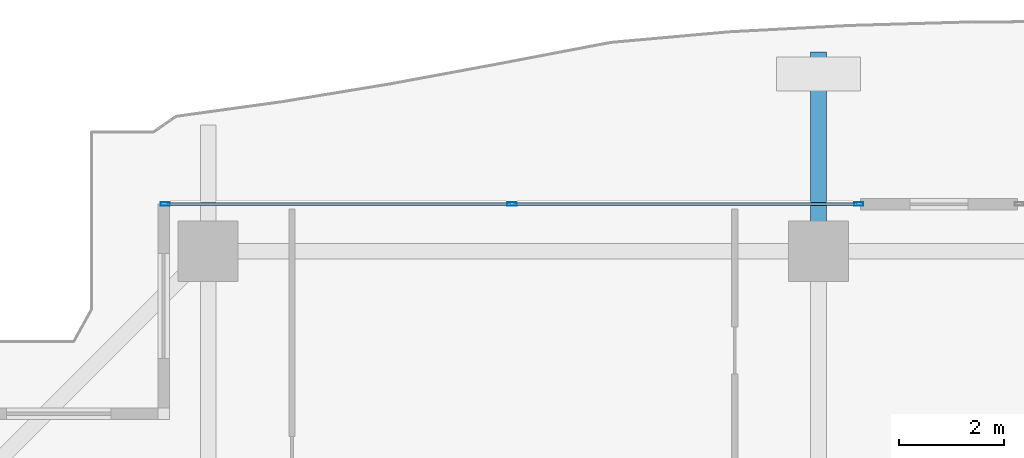
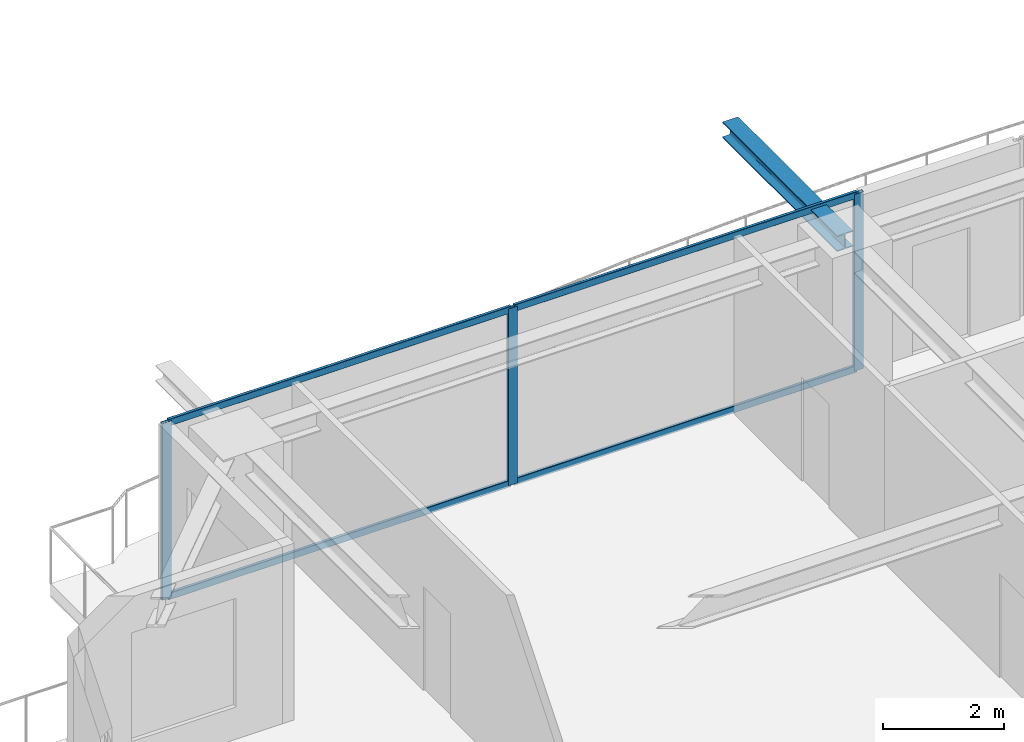
# One storey, part 20 of 37: 7 members, 1 beam, 1 element without a shape of its own.
"""IFC4 building model written with IfcOpenShell, lengths in metres."""

from ifc_helpers import new_model, si_unit, direction, frame, origin, origin_2d, place, context, subcontext, project, spatial, hollow_rectangle, i_section, extrude, source, transform, mapped, material, layer, layer_set, material_profile, profile_set, type_object, element, aggregate, save


model = new_model("IFC4")

# Units and contexts
model_context = context("Model", 3, precision=1e-05, world=origin(), true_north=direction((0.0, 1.0)))
body_context = subcontext(model_context, "Body", "Model", "MODEL_VIEW")
ifc_project = project(units=[si_unit("LENGTHUNIT", "METRE"), si_unit("AREAUNIT", "SQUARE_METRE"), si_unit("VOLUMEUNIT", "CUBIC_METRE"), si_unit("PLANEANGLEUNIT", "RADIAN"), si_unit("MASSUNIT", "GRAM", prefix="KILO")], contexts=[model_context])

# Site, building, storey
site_placement = place(None, origin())
site = spatial("IfcSite", under=ifc_project, at=site_placement, CompositionType="ELEMENT")
building_placement = place(site_placement, origin())
building = spatial("IfcBuilding", under=site, at=building_placement, Name="Serunith Strait Residences", CompositionType="ELEMENT")
storey_placement = place(building_placement, frame((0.0, 0.0, 233.550048828125)))
storey = spatial("IfcBuildingStorey", under=building, at=storey_placement, Name="L58", CompositionType="ELEMENT", Elevation=233.550048828125)

# Beam
ifc_material_1 = material(Name="Steel S355J2", Category="steel")
ifc_material_profile_1 = material_profile(ifc_material_1, i_section(OverallWidth=0.300048828125, OverallDepth=0.320068359375, WebThickness=0.011474609375, FlangeThickness=0.0205078125, FilletRadius=0.027099609375, at=origin_2d()), Name="HEB 320")
ifc_profile_set_1 = profile_set([ifc_material_profile_1], Name="Steel S355J2")
beam_type = type_object("IfcBeamType", Name="BM-HEB320", PredefinedType="BEAM", material=ifc_profile_set_1)
shared_shape_1 = source(origin(), body_context, "Body", "SweptSolid", [
    extrude(i_section(OverallWidth=0.300048828125, OverallDepth=0.320068359375, WebThickness=0.011474609375, FlangeThickness=0.0205078125, FilletRadius=0.027099609375, at=origin_2d()), origin(), (0.0, 0.0, 1.0), 3.800048828125),
])
beam_placement = place(storey_placement, frame((27.89990234375, 48.300048828125, 3.39697265625), z_axis=(0.0, 1.0, 0.0), x_axis=(-1.0, 0.0, 0.0)))
element("IfcBeam", 1, at=beam_placement, inside=storey, type_object=beam_type, Name="L59 Cantilevered Balcony Rib TC-N2", PredefinedType="BEAM", context=body_context, shape_type="MappedRepresentation", body=[
    mapped(shared_shape_1, transform((0.0, 0.0, 0.0), scale=1.0)),
])

# Curtain wall, members
ifc_material_2 = material(Name="Pale-Champagne Anodised Aluminium", Category="aluminium")
ifc_layer = layer(ifc_material_2, 0.199951171875, Name="Pale-Champagne Anodised Aluminium")
ifc_layer_set = layer_set([ifc_layer], Name="Pale-Champagne Anodised Aluminium")
curtain_wall_type = type_object("IfcCurtainWallType", Name="CW-SYS4", PredefinedType="NOTDEFINED", material=ifc_layer_set)
curtain_wall_placement = place(storey_placement, origin())
curtain_wall = element("IfcCurtainWall", 2, at=curtain_wall_placement, inside=storey, type_object=curtain_wall_type, Name="L58 N Unitised Fritted Curtain Wall", PredefinedType="NOTDEFINED")
ifc_material_profile_2 = material_profile(ifc_material_2, hollow_rectangle(XDim=0.06494140625, YDim=0.179931640625, WallThickness=0.00341796875, InnerFilletRadius=0.00537109375, OuterFilletRadius=0.0087890625, at=origin_2d()), Name="ALU 180x65x3.5")
ifc_profile_set_2 = profile_set([ifc_material_profile_2], Name="Pale-Champagne Anodised Aluminium")
member_type_1 = type_object("IfcMemberType", Name="CW-SYS4-MULL", PredefinedType="MULLION", material=ifc_profile_set_2)
shared_shape_2 = source(origin(), body_context, "Body", "SweptSolid", [
    extrude(hollow_rectangle(XDim=0.06494140625, YDim=0.179931640625, WallThickness=0.00341796875, InnerFilletRadius=0.00537109375, OuterFilletRadius=0.0087890625, at=origin_2d()), origin(), (0.0, 0.0, 1.0), 3.574951171875),
])
member_1_placement = place(storey_placement, frame((28.66748046875, 49.199951171875, 0.0), z_axis=(0.0, 0.0, 1.0), x_axis=(0.0, -1.0, 0.0)))
member_1 = element("IfcMember", 3, at=member_1_placement, type_object=member_type_1, Name="CW-4 mullion 1", PredefinedType="MULLION", context=body_context, shape_type="MappedRepresentation", body=[
    mapped(shared_shape_2, transform((0.0, 0.0, 0.0), scale=1.0)),
])
member_2_placement = place(storey_placement, frame((22.050048828125, 49.199951171875, 0.0), z_axis=(0.0, 0.0, 1.0), x_axis=(0.0, -1.0, 0.0)))
member_2 = element("IfcMember", 4, at=member_2_placement, type_object=member_type_1, Name="CW-4 mullion 2", PredefinedType="MULLION", context=body_context, shape_type="MappedRepresentation", body=[
    mapped(shared_shape_2, transform((0.0, 0.0, 0.0), scale=1.0)),
])
member_3_placement = place(storey_placement, frame((15.4326171875, 49.199951171875, 0.0), z_axis=(0.0, 0.0, 1.0), x_axis=(0.0, -1.0, 0.0)))
member_3 = element("IfcMember", 5, at=member_3_placement, type_object=member_type_1, Name="CW-4 mullion 3", PredefinedType="MULLION", context=body_context, shape_type="MappedRepresentation", body=[
    mapped(shared_shape_2, transform((0.0, 0.0, 0.0), scale=1.0)),
])
ifc_material_profile_3 = material_profile(ifc_material_2, hollow_rectangle(XDim=0.06005859375, YDim=0.139892578125, WallThickness=0.00341796875, InnerFilletRadius=0.00537109375, OuterFilletRadius=0.0087890625, at=origin_2d()), Name="ALU 140x60x3.5")
ifc_profile_set_3 = profile_set([ifc_material_profile_3], Name="Pale-Champagne Anodised Aluminium")
member_type_2 = type_object("IfcMemberType", Name="CW-SYS4-TRAN", PredefinedType="USERDEFINED", material=ifc_profile_set_3)
shared_shape_3 = source(origin(), body_context, "Body", "SweptSolid", [
    extrude(hollow_rectangle(XDim=0.06005859375, YDim=0.139892578125, WallThickness=0.00341796875, InnerFilletRadius=0.00537109375, OuterFilletRadius=0.0087890625, at=origin_2d()), origin(), (0.0, 0.0, 1.0), 6.552490234375),
])
member_4_placement = place(storey_placement, frame((28.635009765625, 49.199951171875, 0.030029296875), z_axis=(-1.0, 0.0, 0.0), x_axis=(0.0, -1.0, 0.0)))
member_4 = element("IfcMember", 6, at=member_4_placement, type_object=member_type_2, Name="CW-4 transom 1.1", ObjectType="TRANSOM", PredefinedType="USERDEFINED", context=body_context, shape_type="MappedRepresentation", body=[
    mapped(shared_shape_3, transform((0.0, 0.0, 0.0), scale=1.0)),
])
member_5_placement = place(storey_placement, frame((28.635009765625, 49.199951171875, 3.544921875), z_axis=(-1.0, 0.0, 0.0), x_axis=(0.0, -1.0, 0.0)))
member_5 = element("IfcMember", 7, at=member_5_placement, type_object=member_type_2, Name="CW-4 transom 1.2", ObjectType="TRANSOM", PredefinedType="USERDEFINED", context=body_context, shape_type="MappedRepresentation", body=[
    mapped(shared_shape_3, transform((0.0, 0.0, 0.0), scale=1.0)),
])
member_6_placement = place(storey_placement, frame((22.017578125, 49.199951171875, 0.030029296875), z_axis=(-1.0, 0.0, 0.0), x_axis=(0.0, -1.0, 0.0)))
member_6 = element("IfcMember", 8, at=member_6_placement, type_object=member_type_2, Name="CW-4 transom 2.1", ObjectType="TRANSOM", PredefinedType="USERDEFINED", context=body_context, shape_type="MappedRepresentation", body=[
    mapped(shared_shape_3, transform((0.0, 0.0, 0.0), scale=1.0)),
])
member_7_placement = place(storey_placement, frame((22.017578125, 49.199951171875, 3.544921875), z_axis=(-1.0, 0.0, 0.0), x_axis=(0.0, -1.0, 0.0)))
member_7 = element("IfcMember", 9, at=member_7_placement, type_object=member_type_2, Name="CW-4 transom 2.2", ObjectType="TRANSOM", PredefinedType="USERDEFINED", context=body_context, shape_type="MappedRepresentation", body=[
    mapped(shared_shape_3, transform((0.0, 0.0, 0.0), scale=1.0)),
])
aggregate(curtain_wall, [member_1, member_2, member_3, member_4, member_5, member_6, member_7])

save(model, "model.ifc")
